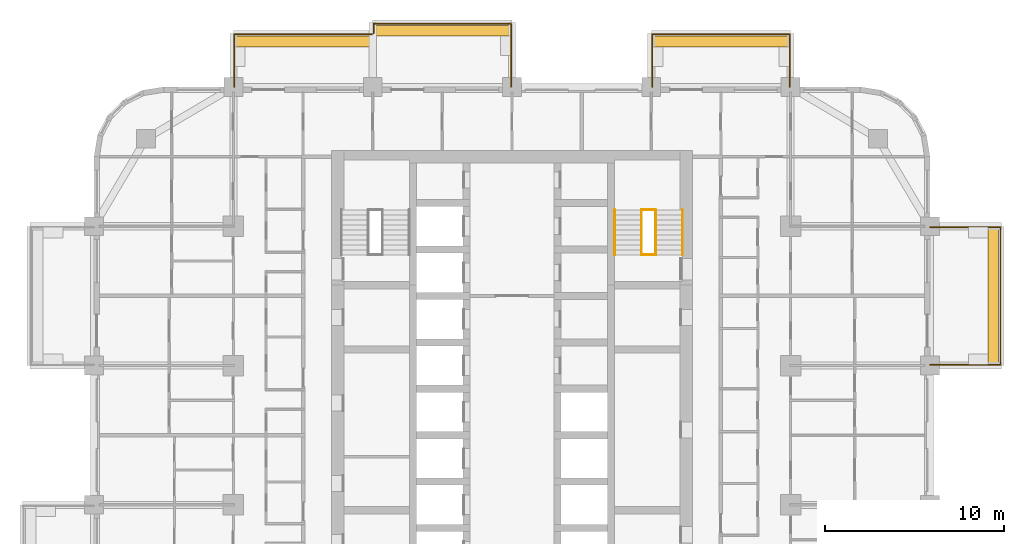
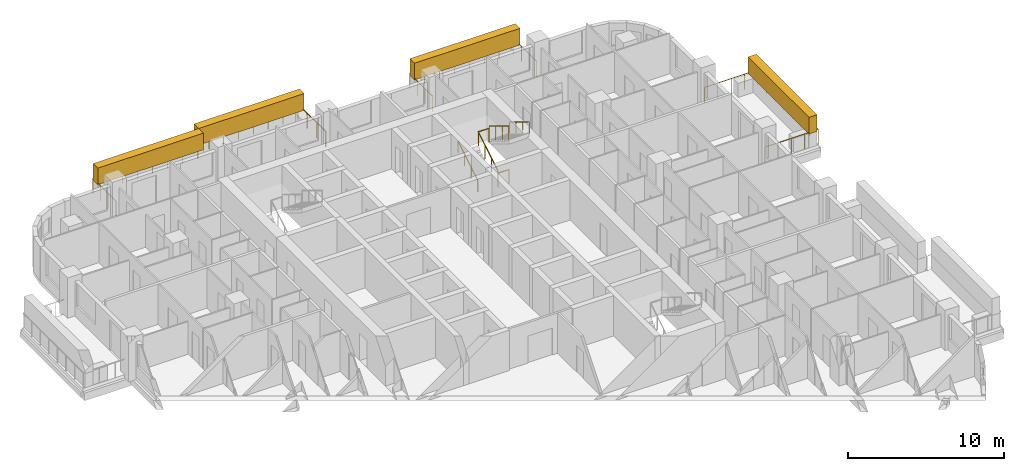
# One storey, part 17 of 17: 10 railings, 4 coverings, 1 element without a shape of its own.
"""IFC4 building model written with IfcOpenShell, lengths in metres."""

from ifc_helpers import new_model, si_unit, direction, frame, origin, origin_2d, place, context, subcontext, project, spatial, rectangle, circle, extrude, material, layer, layer_set, type_object, element, aggregate, save


model = new_model("IFC4")

# Units and contexts
model_context = context("Model", 3, precision=1e-05, world=origin(), true_north=direction((0.0, 1.0)))
body_context = subcontext(model_context, "Body", "Model", "MODEL_VIEW")
ifc_project = project(units=[si_unit("LENGTHUNIT", "METRE"), si_unit("AREAUNIT", "SQUARE_METRE"), si_unit("VOLUMEUNIT", "CUBIC_METRE"), si_unit("PLANEANGLEUNIT", "RADIAN"), si_unit("MASSUNIT", "GRAM", prefix="KILO")], contexts=[model_context])

# Site, building, storey
site_placement = place(None, origin())
site = spatial("IfcSite", under=ifc_project, at=site_placement, CompositionType="ELEMENT")
building_placement = place(site_placement, origin())
building = spatial("IfcBuilding", under=site, at=building_placement, Name="Ludao Terraces", CompositionType="ELEMENT")
storey_placement = place(building_placement, frame((0.0, 0.0, 22.89990234375)))
storey = spatial("IfcBuildingStorey", under=building, at=storey_placement, Name="L05", CompositionType="ELEMENT", Elevation=22.89990234375)

# Railings
ifc_material_1 = material(Name="Stainless steel 304", Category="steel")
railing_type_1 = type_object("IfcRailingType", Name="ENV Balcony glass guard 1200", PredefinedType="GUARDRAIL", material=ifc_material_1)
railing_1_placement = place(storey_placement, frame((108.39990234375, 72.85009765625, 0.0)))
element("IfcRailing", 1, at=railing_1_placement, inside=storey, type_object=railing_type_1, Name="Balcony guard L05 E4", PredefinedType="GUARDRAIL", context=body_context, shape_type="SweptSolid", body=[
    extrude(circle(Radius=0.02392578125, at=origin_2d()), frame((0.0, 0.0, 1.17578125), z_axis=(1.0, 0.0, 0.0), x_axis=(0.0, 1.0, 0.0)), (0.0, 0.0, 1.0), 3.9501953125),
    extrude(circle(Radius=0.02392578125, at=origin_2d()), frame((3.9501953125, 0.0, 1.17578125), z_axis=(0.0, 1.0, 0.0), x_axis=(-1.0, 0.0, 0.0)), (0.0, 0.0, 1.0), 7.699951171875),
    extrude(circle(Radius=0.02392578125, at=origin_2d()), frame((3.9501953125, 7.699951171875, 1.17578125), z_axis=(-1.0, 0.0, 0.0), x_axis=(0.0, -1.0, 0.0)), (0.0, 0.0, 1.0), 3.9501953125),
    extrude(circle(Radius=0.02099609375, at=origin_2d()), origin(), (0.0, 0.0, 1.0), 1.15185546875),
    extrude(circle(Radius=0.02099609375, at=origin_2d()), frame((0.987548828125, 0.0, 0.0)), (0.0, 0.0, 1.0), 1.15185546875),
    extrude(circle(Radius=0.02099609375, at=origin_2d()), frame((1.97509765625, 0.0, 0.0)), (0.0, 0.0, 1.0), 1.15185546875),
    extrude(circle(Radius=0.02099609375, at=origin_2d()), frame((2.962646484375, 0.0, 0.0)), (0.0, 0.0, 1.0), 1.15185546875),
    extrude(circle(Radius=0.02099609375, at=origin_2d()), frame((3.9501953125, 0.0, 0.0)), (0.0, 0.0, 1.0), 1.15185546875),
    extrude(circle(Radius=0.02099609375, at=origin_2d()), frame((3.9501953125, 1.10009765625, 0.0)), (0.0, 0.0, 1.0), 1.15185546875),
    extrude(circle(Radius=0.02099609375, at=origin_2d()), frame((3.9501953125, 2.199951171875, 0.0)), (0.0, 0.0, 1.0), 1.15185546875),
    extrude(circle(Radius=0.02099609375, at=origin_2d()), frame((3.9501953125, 3.300048828125, 0.0)), (0.0, 0.0, 1.0), 1.15185546875),
    extrude(circle(Radius=0.02099609375, at=origin_2d()), frame((3.9501953125, 4.39990234375, 0.0)), (0.0, 0.0, 1.0), 1.15185546875),
    extrude(circle(Radius=0.02099609375, at=origin_2d()), frame((3.9501953125, 5.5, 0.0)), (0.0, 0.0, 1.0), 1.15185546875),
    extrude(circle(Radius=0.02099609375, at=origin_2d()), frame((3.9501953125, 6.599853515625, 0.0)), (0.0, 0.0, 1.0), 1.15185546875),
    extrude(circle(Radius=0.02099609375, at=origin_2d()), frame((3.9501953125, 7.699951171875, 0.0)), (0.0, 0.0, 1.0), 1.15185546875),
    extrude(circle(Radius=0.02099609375, at=origin_2d()), frame((2.962646484375, 7.699951171875, 0.0)), (0.0, 0.0, 1.0), 1.15185546875),
    extrude(circle(Radius=0.02099609375, at=origin_2d()), frame((1.97509765625, 7.699951171875, 0.0)), (0.0, 0.0, 1.0), 1.15185546875),
    extrude(circle(Radius=0.02099609375, at=origin_2d()), frame((0.987548828125, 7.699951171875, 0.0)), (0.0, 0.0, 1.0), 1.15185546875),
    extrude(circle(Radius=0.02099609375, at=origin_2d()), frame((0.0, 7.699951171875, 0.0)), (0.0, 0.0, 1.0), 1.15185546875),
])
railing_2_placement = place(storey_placement, frame((69.449951171875, 88.39990234375, 0.0)))
element("IfcRailing", 2, at=railing_2_placement, inside=storey, type_object=railing_type_1, Name="Balcony guard L05 N1", PredefinedType="GUARDRAIL", context=body_context, shape_type="SweptSolid", body=[
    extrude(circle(Radius=0.02392578125, at=origin_2d()), frame((0.0, 0.0, 1.17578125), z_axis=(0.0, 1.0, 0.0), x_axis=(-1.0, 0.0, 0.0)), (0.0, 0.0, 1.0), 2.9501953125),
    extrude(circle(Radius=0.02392578125, at=origin_2d()), frame((0.0, 2.9501953125, 1.17578125), z_axis=(1.0, 0.0, 0.0), x_axis=(0.0, 1.0, 0.0)), (0.0, 0.0, 1.0), 7.699951171875),
    extrude(circle(Radius=0.02099609375, at=origin_2d()), origin(), (0.0, 0.0, 1.0), 1.15185546875),
    extrude(circle(Radius=0.02099609375, at=origin_2d()), frame((0.0, 0.9833984375, 0.0)), (0.0, 0.0, 1.0), 1.15185546875),
    extrude(circle(Radius=0.02099609375, at=origin_2d()), frame((0.0, 1.966796875, 0.0)), (0.0, 0.0, 1.0), 1.15185546875),
    extrude(circle(Radius=0.02099609375, at=origin_2d()), frame((0.0, 2.9501953125, 0.0)), (0.0, 0.0, 1.0), 1.15185546875),
    extrude(circle(Radius=0.02099609375, at=origin_2d()), frame((1.10009765625, 2.9501953125, 0.0)), (0.0, 0.0, 1.0), 1.15185546875),
    extrude(circle(Radius=0.02099609375, at=origin_2d()), frame((2.199951171875, 2.9501953125, 0.0)), (0.0, 0.0, 1.0), 1.15185546875),
    extrude(circle(Radius=0.02099609375, at=origin_2d()), frame((3.300048828125, 2.9501953125, 0.0)), (0.0, 0.0, 1.0), 1.15185546875),
    extrude(circle(Radius=0.02099609375, at=origin_2d()), frame((4.39990234375, 2.9501953125, 0.0)), (0.0, 0.0, 1.0), 1.15185546875),
    extrude(circle(Radius=0.02099609375, at=origin_2d()), frame((5.5, 2.9501953125, 0.0)), (0.0, 0.0, 1.0), 1.15185546875),
    extrude(circle(Radius=0.02099609375, at=origin_2d()), frame((6.599853515625, 2.9501953125, 0.0)), (0.0, 0.0, 1.0), 1.15185546875),
    extrude(circle(Radius=0.02099609375, at=origin_2d()), frame((7.699951171875, 2.9501953125, 0.0)), (0.0, 0.0, 1.0), 1.15185546875),
])
railing_3_placement = place(storey_placement, frame((77.25, 91.39990234375, 0.0)))
element("IfcRailing", 3, at=railing_3_placement, inside=storey, type_object=railing_type_1, Name="Balcony guard L05 N2", PredefinedType="GUARDRAIL", context=body_context, shape_type="SweptSolid", body=[
    extrude(circle(Radius=0.02392578125, at=origin_2d()), frame((0.0, 0.0, 1.17578125), z_axis=(0.0, 1.0, 0.0), x_axis=(-1.0, 0.0, 0.0)), (0.0, 0.0, 1.0), 0.550048828125),
    extrude(circle(Radius=0.02392578125, at=origin_2d()), frame((0.0, 0.550048828125, 1.17578125), z_axis=(1.0, 0.0, 0.0), x_axis=(0.0, 1.0, 0.0)), (0.0, 0.0, 1.0), 7.699951171875),
    extrude(circle(Radius=0.02392578125, at=origin_2d()), frame((7.699951171875, 0.550048828125, 1.17578125), z_axis=(0.0, -1.0, 0.0), x_axis=(1.0, 0.0, 0.0)), (0.0, 0.0, 1.0), 3.550048828125),
    extrude(circle(Radius=0.02099609375, at=origin_2d()), origin(), (0.0, 0.0, 1.0), 1.15185546875),
    extrude(circle(Radius=0.02099609375, at=origin_2d()), frame((0.0, 0.550048828125, 0.0)), (0.0, 0.0, 1.0), 1.15185546875),
    extrude(circle(Radius=0.02099609375, at=origin_2d()), frame((1.10009765625, 0.550048828125, 0.0)), (0.0, 0.0, 1.0), 1.15185546875),
    extrude(circle(Radius=0.02099609375, at=origin_2d()), frame((2.199951171875, 0.550048828125, 0.0)), (0.0, 0.0, 1.0), 1.15185546875),
    extrude(circle(Radius=0.02099609375, at=origin_2d()), frame((3.300048828125, 0.550048828125, 0.0)), (0.0, 0.0, 1.0), 1.15185546875),
    extrude(circle(Radius=0.02099609375, at=origin_2d()), frame((4.39990234375, 0.550048828125, 0.0)), (0.0, 0.0, 1.0), 1.15185546875),
    extrude(circle(Radius=0.02099609375, at=origin_2d()), frame((5.5, 0.550048828125, 0.0)), (0.0, 0.0, 1.0), 1.15185546875),
    extrude(circle(Radius=0.02099609375, at=origin_2d()), frame((6.599853515625, 0.550048828125, 0.0)), (0.0, 0.0, 1.0), 1.15185546875),
    extrude(circle(Radius=0.02099609375, at=origin_2d()), frame((7.699951171875, 0.550048828125, 0.0)), (0.0, 0.0, 1.0), 1.15185546875),
    extrude(circle(Radius=0.02099609375, at=origin_2d()), frame((7.699951171875, -0.63330078125, 0.0)), (0.0, 0.0, 1.0), 1.15185546875),
    extrude(circle(Radius=0.02099609375, at=origin_2d()), frame((7.699951171875, -1.816650390625, 0.0)), (0.0, 0.0, 1.0), 1.15185546875),
    extrude(circle(Radius=0.02099609375, at=origin_2d()), frame((7.699951171875, -3.0, 0.0)), (0.0, 0.0, 1.0), 1.15185546875),
])
railing_4_placement = place(storey_placement, frame((92.85009765625, 88.39990234375, 0.0)))
element("IfcRailing", 4, at=railing_4_placement, inside=storey, type_object=railing_type_1, Name="Balcony guard L05 N4", PredefinedType="GUARDRAIL", context=body_context, shape_type="SweptSolid", body=[
    extrude(circle(Radius=0.02392578125, at=origin_2d()), frame((0.0, 0.0, 1.17578125), z_axis=(0.0, 1.0, 0.0), x_axis=(-1.0, 0.0, 0.0)), (0.0, 0.0, 1.0), 2.9501953125),
    extrude(circle(Radius=0.02392578125, at=origin_2d()), frame((0.0, 2.9501953125, 1.17578125), z_axis=(1.0, 0.0, 0.0), x_axis=(0.0, 1.0, 0.0)), (0.0, 0.0, 1.0), 7.699951171875),
    extrude(circle(Radius=0.02392578125, at=origin_2d()), frame((7.699951171875, 2.9501953125, 1.17578125), z_axis=(0.0, -1.0, 0.0), x_axis=(1.0, 0.0, 0.0)), (0.0, 0.0, 1.0), 2.9501953125),
    extrude(circle(Radius=0.02099609375, at=origin_2d()), origin(), (0.0, 0.0, 1.0), 1.15185546875),
    extrude(circle(Radius=0.02099609375, at=origin_2d()), frame((0.0, 0.9833984375, 0.0)), (0.0, 0.0, 1.0), 1.15185546875),
    extrude(circle(Radius=0.02099609375, at=origin_2d()), frame((0.0, 1.966796875, 0.0)), (0.0, 0.0, 1.0), 1.15185546875),
    extrude(circle(Radius=0.02099609375, at=origin_2d()), frame((0.0, 2.9501953125, 0.0)), (0.0, 0.0, 1.0), 1.15185546875),
    extrude(circle(Radius=0.02099609375, at=origin_2d()), frame((1.10009765625, 2.9501953125, 0.0)), (0.0, 0.0, 1.0), 1.15185546875),
    extrude(circle(Radius=0.02099609375, at=origin_2d()), frame((2.199951171875, 2.9501953125, 0.0)), (0.0, 0.0, 1.0), 1.15185546875),
    extrude(circle(Radius=0.02099609375, at=origin_2d()), frame((3.300048828125, 2.9501953125, 0.0)), (0.0, 0.0, 1.0), 1.15185546875),
    extrude(circle(Radius=0.02099609375, at=origin_2d()), frame((4.39990234375, 2.9501953125, 0.0)), (0.0, 0.0, 1.0), 1.15185546875),
    extrude(circle(Radius=0.02099609375, at=origin_2d()), frame((5.5, 2.9501953125, 0.0)), (0.0, 0.0, 1.0), 1.15185546875),
    extrude(circle(Radius=0.02099609375, at=origin_2d()), frame((6.599853515625, 2.9501953125, 0.0)), (0.0, 0.0, 1.0), 1.15185546875),
    extrude(circle(Radius=0.02099609375, at=origin_2d()), frame((7.699951171875, 2.9501953125, 0.0)), (0.0, 0.0, 1.0), 1.15185546875),
    extrude(circle(Radius=0.02099609375, at=origin_2d()), frame((7.699951171875, 1.966796875, 0.0)), (0.0, 0.0, 1.0), 1.15185546875),
    extrude(circle(Radius=0.02099609375, at=origin_2d()), frame((7.699951171875, 0.9833984375, 0.0)), (0.0, 0.0, 1.0), 1.15185546875),
    extrude(circle(Radius=0.02099609375, at=origin_2d()), frame((7.699951171875, 0.0, 0.0)), (0.0, 0.0, 1.0), 1.15185546875),
])

# Coverings
ifc_material_2 = material(Name="Planting")
ifc_layer = layer(ifc_material_2, 0.60009765625)
ifc_layer_set = layer_set([ifc_layer], Name="ENV Planting hedge 600x1300")
covering_type = type_object("IfcCoveringType", Name="ENV Planting hedge 600x1300", PredefinedType="USERDEFINED", material=ifc_layer_set)
covering_placement = place(storey_placement, frame((111.949951171875, 76.699951171875, 1.10009765625), z_axis=(0.0, 0.0, 1.0), x_axis=(1.0, 0.0, 0.0)))
element("IfcCovering", 5, at=covering_placement, inside=storey, type_object=covering_type, Name="Planting hedge L05-E4", ObjectType="PLANTING", PredefinedType="USERDEFINED", context=body_context, shape_type="SweptSolid", body=[
    extrude(rectangle(XDim=0.60009765625, YDim=7.800048828125, at=origin_2d()), origin(), (0.0, 0.0, 1.0), 1.300048828125),
])
for number, where, z_axis, x_axis, name in (
    (6, (73.300048828125, 90.949951171875, 1.10009765625), (0.0, 0.0, 1.0), (1.0, 0.0, 0.0), "Planting hedge L05-N1"),
    (7, (81.10009765625, 91.550048828125, 1.10009765625), (0.0, 0.0, 1.0), (1.0, 0.0, 0.0), "Planting hedge L05-N2"),
    (8, (96.699951171875, 90.949951171875, 1.10009765625), (0.0, 0.0, 1.0), (1.0, 0.0, 0.0), "Planting hedge L05-N4"),
):
    element("IfcCovering", number, at=place(storey_placement, frame(where, z_axis=z_axis, x_axis=x_axis)), inside=storey, type_object=covering_type, Name=name, ObjectType="PLANTING", PredefinedType="USERDEFINED", context=body_context, shape_type="SweptSolid", body=[
        extrude(rectangle(XDim=7.800048828125, YDim=0.60009765625, at=origin_2d()), origin(), (0.0, 0.0, 1.0), 1.300048828125),
    ])

# Stair, railings
ifc_material_3 = material(Name="Concrete C40", Category="concrete")
stair_type = type_object("IfcStairType", Name="INT Stair", PredefinedType="HALF_TURN_STAIR", material=ifc_material_3)
stair_placement = place(storey_placement, origin())
stair = element("IfcStair", 9, at=stair_placement, inside=storey, type_object=stair_type, Name="EXIT STAIR 2", PredefinedType="HALF_TURN_STAIR")
railing_type_2 = type_object("IfcRailingType", Name="INT Stair guard 1100", PredefinedType="GUARDRAIL", material=ifc_material_1)
railing_5_placement = place(storey_placement, frame((92.25, 79.0, 0.170166015625)))
railing_5 = element("IfcRailing", 10, at=railing_5_placement, type_object=railing_type_2, Name="ST-L05-S2-R1G", PredefinedType="GUARDRAIL", context=body_context, shape_type="SweptSolid", body=[
    extrude(circle(Radius=0.02392578125, at=origin_2d()), frame((0.0, 0.0, 1.076171875), z_axis=(0.0, 0.85478489116, 0.518982456201), x_axis=(-1.0, 0.0, 0.0)), (0.0, 0.0, 1.0), 2.9482421875),
    extrude(circle(Radius=0.02099609375, at=origin_2d()), origin(), (0.0, 0.0, 1.0), 1.052001953125),
    extrude(circle(Radius=0.02099609375, at=origin_2d()), frame((0.0, 0.840087890625, 0.510009765625)), (0.0, 0.0, 1.0), 1.052001953125),
    extrude(circle(Radius=0.02099609375, at=origin_2d()), frame((0.0, 1.679931640625, 1.02001953125)), (0.0, 0.0, 1.0), 1.052001953125),
    extrude(circle(Radius=0.02099609375, at=origin_2d()), frame((0.0, 2.52001953125, 1.530029296875)), (0.0, 0.0, 1.0), 1.052001953125),
])
railing_6_placement = place(storey_placement, frame((93.050048828125, 81.52001953125, 1.8701171875)))
railing_6 = element("IfcRailing", 11, at=railing_6_placement, type_object=railing_type_2, Name="ST-L05-S2-R2G", PredefinedType="GUARDRAIL", context=body_context, shape_type="SweptSolid", body=[
    extrude(circle(Radius=0.02392578125, at=origin_2d()), frame((0.0, 0.0, 1.076171875), z_axis=(0.0, -0.85478489116, 0.518982456201), x_axis=(1.0, 0.0, 0.0)), (0.0, 0.0, 1.0), 2.9482421875),
    extrude(circle(Radius=0.02099609375, at=origin_2d()), origin(), (0.0, 0.0, 1.0), 1.052001953125),
    extrude(circle(Radius=0.02099609375, at=origin_2d()), frame((0.0, -0.840087890625, 0.510009765625)), (0.0, 0.0, 1.0), 1.052001953125),
    extrude(circle(Radius=0.02099609375, at=origin_2d()), frame((0.0, -1.679931640625, 1.02001953125)), (0.0, 0.0, 1.0), 1.052001953125),
    extrude(circle(Radius=0.02099609375, at=origin_2d()), frame((0.0, -2.52001953125, 1.530029296875)), (0.0, 0.0, 1.0), 1.052001953125),
])
railing_7_placement = place(storey_placement, frame((92.25, 81.52001953125, 1.7001953125)))
railing_7 = element("IfcRailing", 12, at=railing_7_placement, type_object=railing_type_2, Name="ST-L05-S2-E1G", PredefinedType="GUARDRAIL", context=body_context, shape_type="SweptSolid", body=[
    extrude(circle(Radius=0.02392578125, at=origin_2d()), frame((0.0, 0.0, 1.076171875), z_axis=(1.0, 0.0, 0.0), x_axis=(0.0, 1.0, 0.0)), (0.0, 0.0, 1.0), 0.800048828125),
    extrude(circle(Radius=0.02099609375, at=origin_2d()), origin(), (0.0, 0.0, 1.0), 1.052001953125),
    extrude(circle(Radius=0.02099609375, at=origin_2d()), frame((0.800048828125, 0.0, 0.0)), (0.0, 0.0, 1.0), 1.052001953125),
])
railing_8_placement = place(storey_placement, frame((92.25, 79.0, 0.0)))
railing_8 = element("IfcRailing", 13, at=railing_8_placement, type_object=railing_type_2, Name="ST-L05-S2-E2G", PredefinedType="GUARDRAIL", context=body_context, shape_type="SweptSolid", body=[
    extrude(circle(Radius=0.02392578125, at=origin_2d()), frame((0.0, 0.0, 1.076171875), z_axis=(1.0, 0.0, 0.0), x_axis=(0.0, 1.0, 0.0)), (0.0, 0.0, 1.0), 0.800048828125),
    extrude(circle(Radius=0.02099609375, at=origin_2d()), origin(), (0.0, 0.0, 1.0), 1.052001953125),
    extrude(circle(Radius=0.02099609375, at=origin_2d()), frame((0.800048828125, 0.0, 0.0)), (0.0, 0.0, 1.0), 1.052001953125),
])
railing_type_3 = type_object("IfcRailingType", Name="INT Stair handrail 900", PredefinedType="HANDRAIL", material=ifc_material_1)
railing_9_placement = place(storey_placement, frame((90.75, 79.0, 0.170166015625)))
railing_9 = element("IfcRailing", 14, at=railing_9_placement, type_object=railing_type_3, Name="ST-L05-S2-R1H", PredefinedType="HANDRAIL", context=body_context, shape_type="SweptSolid", body=[
    extrude(circle(Radius=0.02392578125, at=origin_2d()), frame((0.0, 0.0, 0.8759765625), z_axis=(0.0, 0.85478489116, 0.518982456201), x_axis=(-1.0, 0.0, 0.0)), (0.0, 0.0, 1.0), 2.9482421875),
    extrude(circle(Radius=0.02099609375, at=origin_2d()), origin(), (0.0, 0.0, 1.0), 0.851806640625),
    extrude(circle(Radius=0.02099609375, at=origin_2d()), frame((0.0, 0.840087890625, 0.510009765625)), (0.0, 0.0, 1.0), 0.851806640625),
    extrude(circle(Radius=0.02099609375, at=origin_2d()), frame((0.0, 1.679931640625, 1.02001953125)), (0.0, 0.0, 1.0), 0.851806640625),
    extrude(circle(Radius=0.02099609375, at=origin_2d()), frame((0.0, 2.52001953125, 1.530029296875)), (0.0, 0.0, 1.0), 0.851806640625),
])
railing_10_placement = place(storey_placement, frame((94.550048828125, 81.52001953125, 1.8701171875)))
railing_10 = element("IfcRailing", 15, at=railing_10_placement, type_object=railing_type_3, Name="ST-L05-S2-R2H", PredefinedType="HANDRAIL", context=body_context, shape_type="SweptSolid", body=[
    extrude(circle(Radius=0.02392578125, at=origin_2d()), frame((0.0, 0.0, 0.8759765625), z_axis=(0.0, -0.85478489116, 0.518982456201), x_axis=(1.0, 0.0, 0.0)), (0.0, 0.0, 1.0), 2.9482421875),
    extrude(circle(Radius=0.02099609375, at=origin_2d()), origin(), (0.0, 0.0, 1.0), 0.851806640625),
    extrude(circle(Radius=0.02099609375, at=origin_2d()), frame((0.0, -0.840087890625, 0.510009765625)), (0.0, 0.0, 1.0), 0.851806640625),
    extrude(circle(Radius=0.02099609375, at=origin_2d()), frame((0.0, -1.679931640625, 1.02001953125)), (0.0, 0.0, 1.0), 0.851806640625),
    extrude(circle(Radius=0.02099609375, at=origin_2d()), frame((0.0, -2.52001953125, 1.530029296875)), (0.0, 0.0, 1.0), 0.851806640625),
])
aggregate(stair, [railing_5, railing_9, railing_6, railing_10, railing_7, railing_8])

save(model, "model.ifc")
